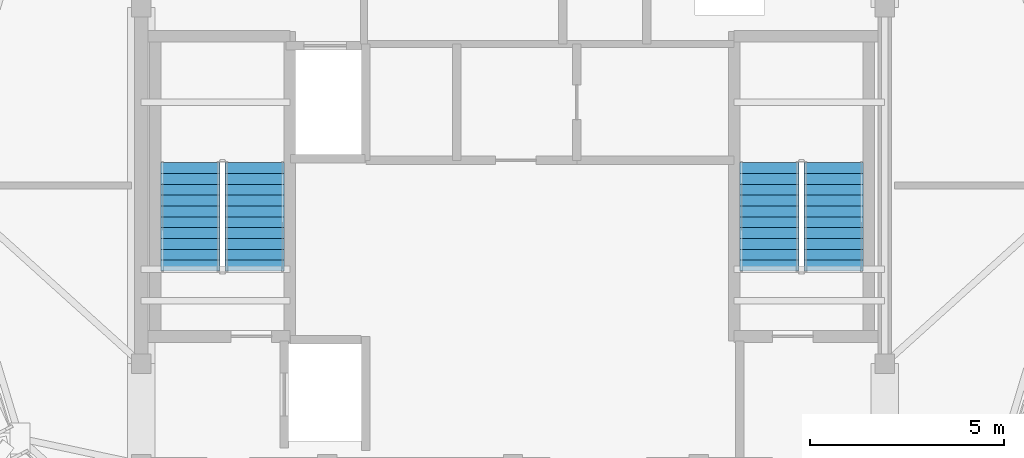
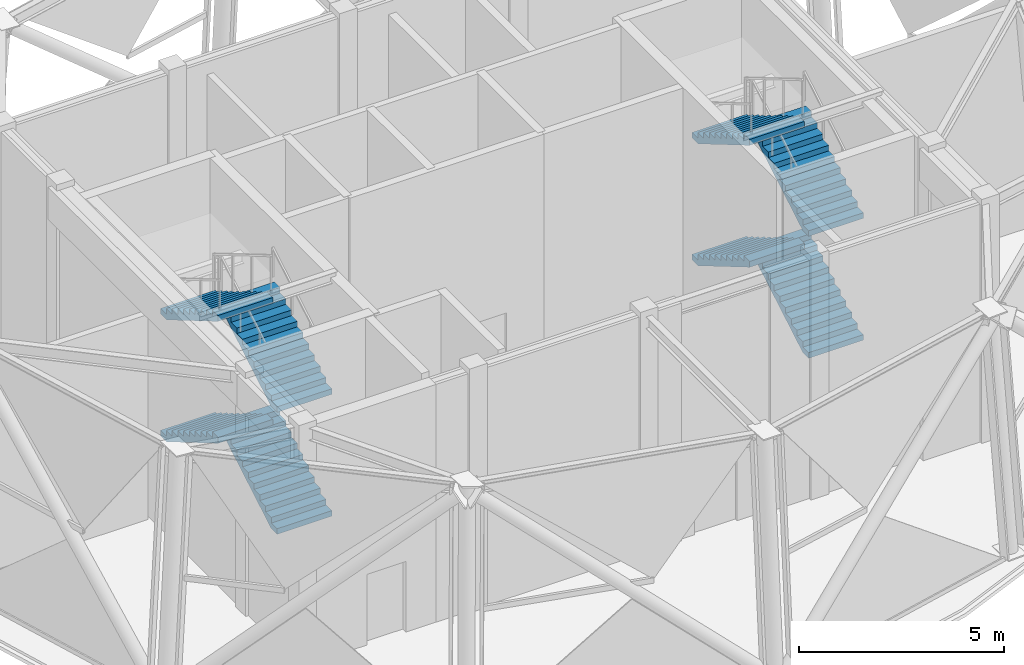
# One storey, part 6 of 8: 8 stair flights, 2 elements without a shape of their own.
"""IFC4 building model written with IfcOpenShell, lengths in metres."""

from ifc_helpers import new_model, si_unit, direction, frame, origin, place, context, subcontext, project, spatial, polyline, outline, extrude, material, type_object, element, aggregate, save


model = new_model("IFC4")

# Units and contexts
model_context = context("Model", 3, precision=1e-05, world=origin(), true_north=direction((0.0, 1.0)))
body_context = subcontext(model_context, "Body", "Model", "MODEL_VIEW")
ifc_project = project(units=[si_unit("LENGTHUNIT", "METRE"), si_unit("AREAUNIT", "SQUARE_METRE"), si_unit("VOLUMEUNIT", "CUBIC_METRE"), si_unit("PLANEANGLEUNIT", "RADIAN"), si_unit("MASSUNIT", "GRAM", prefix="KILO")], contexts=[model_context])

# Site, building, storey
site_placement = place(None, origin())
site = spatial("IfcSite", under=ifc_project, at=site_placement, CompositionType="ELEMENT")
building_placement = place(site_placement, origin())
building = spatial("IfcBuilding", under=site, at=building_placement, Name="Vantalir Tower", CompositionType="ELEMENT")
storey_placement = place(building_placement, frame((0.0, 0.0, 326.25)))
storey = spatial("IfcBuildingStorey", under=building, at=storey_placement, Name="L79", CompositionType="ELEMENT", Elevation=326.25)

# Stair, stair flights
ifc_material = material(Name="Concrete C40/50", Category="concrete")
stair_type = type_object("IfcStairType", Name="STR-CORE-1450", PredefinedType="HALF_TURN_STAIR", material=ifc_material)
stair_1_placement = place(storey_placement, origin())
stair_1 = element("IfcStair", 1, at=stair_1_placement, inside=storey, type_object=stair_type, Name="L79 Core Exit Stair 1", PredefinedType="HALF_TURN_STAIR")
stair_flight_type = type_object("IfcStairFlightType", Name="FLT-CORE-1450", PredefinedType="STRAIGHT", material=ifc_material)
stair_flight_1_placement = place(storey_placement, frame((24.830078125, 22.7900390625, 0.0), z_axis=(0.0, 0.0, 1.0), x_axis=(0.0, 1.0, 0.0)))
stair_flight_1 = element("IfcStairFlight", 2, at=stair_flight_1_placement, type_object=stair_flight_type, Name="ST1 flight 1", NumberOfRisers=11, NumberOfTreads=10, PredefinedType="STRAIGHT", RiserHeight=0.164772727, TreadLength=0.28, context=body_context, shape_type="SweptSolid", body=[
    extrude(outline(polyline([(0.0, 0.0), (0.0, 0.164794921875), (0.280029296875, 0.164794921875), (0.280029296875, 0.32958984375), (0.56005859375, 0.32958984375), (0.56005859375, 0.494384765625), (0.840087890625, 0.494384765625), (0.840087890625, 0.6591796875), (1.1201171875, 0.6591796875), (1.1201171875, 0.823974609375), (1.39990234375, 0.823974609375), (1.39990234375, 0.988525390625), (1.679931640625, 0.988525390625), (1.679931640625, 1.1533203125), (1.9599609375, 1.1533203125), (1.9599609375, 1.318115234375), (2.239990234375, 1.318115234375), (2.239990234375, 1.48291015625), (2.52001953125, 1.48291015625), (2.52001953125, 1.647705078125), (2.800048828125, 1.647705078125), (2.800048828125, 1.8125), (2.800048828125, 1.473876953125), (0.295654296875, 0.0), (0.0, 0.0)])), frame((0.0, 0.77001953125, 0.0), z_axis=(0.0, -1.0, 0.0), x_axis=(1.0, 0.0, 0.0)), (0.0, 0.0, 1.0), 1.5400390625),
])
stair_flight_2_placement = place(storey_placement, frame((23.169921875, 25.590087890625, 1.8125), z_axis=(0.0, 0.0, 1.0), x_axis=(0.0, -1.0, 0.0)))
stair_flight_2 = element("IfcStairFlight", 3, at=stair_flight_2_placement, type_object=stair_flight_type, Name="ST1 flight 2", NumberOfRisers=11, NumberOfTreads=10, PredefinedType="STRAIGHT", RiserHeight=0.164772727, TreadLength=0.28, context=body_context, shape_type="SweptSolid", body=[
    extrude(outline(polyline([(0.0, 0.0), (0.0, 0.164794921875), (0.280029296875, 0.164794921875), (0.280029296875, 0.32958984375), (0.56005859375, 0.32958984375), (0.56005859375, 0.494384765625), (0.840087890625, 0.494384765625), (0.840087890625, 0.6591796875), (1.1201171875, 0.6591796875), (1.1201171875, 0.823974609375), (1.39990234375, 0.823974609375), (1.39990234375, 0.988525390625), (1.679931640625, 0.988525390625), (1.679931640625, 1.1533203125), (1.9599609375, 1.1533203125), (1.9599609375, 1.318115234375), (2.239990234375, 1.318115234375), (2.239990234375, 1.48291015625), (2.52001953125, 1.48291015625), (2.52001953125, 1.647705078125), (2.800048828125, 1.647705078125), (2.800048828125, 1.8125), (2.800048828125, 1.473876953125), (0.295654296875, 0.0), (0.0, 0.0)])), frame((0.0, 0.77001953125, 0.0), z_axis=(0.0, -1.0, 0.0), x_axis=(1.0, 0.0, 0.0)), (0.0, 0.0, 1.0), 1.5400390625),
])
stair_flight_3_placement = place(storey_placement, frame((24.830078125, 22.7900390625, 3.625), z_axis=(0.0, 0.0, 1.0), x_axis=(0.0, 1.0, 0.0)))
stair_flight_3 = element("IfcStairFlight", 4, at=stair_flight_3_placement, type_object=stair_flight_type, Name="ST1 flight 3", NumberOfRisers=11, NumberOfTreads=10, PredefinedType="STRAIGHT", RiserHeight=0.164772727, TreadLength=0.28, context=body_context, shape_type="SweptSolid", body=[
    extrude(outline(polyline([(0.0, 0.0), (0.0, 0.164794921875), (0.280029296875, 0.164794921875), (0.280029296875, 0.32958984375), (0.56005859375, 0.32958984375), (0.56005859375, 0.494384765625), (0.840087890625, 0.494384765625), (0.840087890625, 0.6591796875), (1.1201171875, 0.6591796875), (1.1201171875, 0.823974609375), (1.39990234375, 0.823974609375), (1.39990234375, 0.988525390625), (1.679931640625, 0.988525390625), (1.679931640625, 1.1533203125), (1.9599609375, 1.1533203125), (1.9599609375, 1.318115234375), (2.239990234375, 1.318115234375), (2.239990234375, 1.48291015625), (2.52001953125, 1.48291015625), (2.52001953125, 1.647705078125), (2.800048828125, 1.647705078125), (2.800048828125, 1.8125), (2.800048828125, 1.473876953125), (0.295654296875, 0.0), (0.0, 0.0)])), frame((0.0, 0.77001953125, 0.0), z_axis=(0.0, -1.0, 0.0), x_axis=(1.0, 0.0, 0.0)), (0.0, 0.0, 1.0), 1.5400390625),
])
stair_flight_4_placement = place(storey_placement, frame((23.169921875, 25.590087890625, 5.4375), z_axis=(0.0, 0.0, 1.0), x_axis=(0.0, -1.0, 0.0)))
stair_flight_4 = element("IfcStairFlight", 5, at=stair_flight_4_placement, type_object=stair_flight_type, Name="ST1 flight 4", NumberOfRisers=11, NumberOfTreads=10, PredefinedType="STRAIGHT", RiserHeight=0.164772727, TreadLength=0.28, context=body_context, shape_type="SweptSolid", body=[
    extrude(outline(polyline([(0.0, 0.0), (0.0, 0.164794921875), (0.280029296875, 0.164794921875), (0.280029296875, 0.32958984375), (0.56005859375, 0.32958984375), (0.56005859375, 0.494384765625), (0.840087890625, 0.494384765625), (0.840087890625, 0.6591796875), (1.1201171875, 0.6591796875), (1.1201171875, 0.823974609375), (1.39990234375, 0.823974609375), (1.39990234375, 0.988525390625), (1.679931640625, 0.988525390625), (1.679931640625, 1.1533203125), (1.9599609375, 1.1533203125), (1.9599609375, 1.318115234375), (2.239990234375, 1.318115234375), (2.239990234375, 1.48291015625), (2.52001953125, 1.48291015625), (2.52001953125, 1.647705078125), (2.800048828125, 1.647705078125), (2.800048828125, 1.8125), (2.800048828125, 1.473876953125), (0.295654296875, 0.0), (0.0, 0.0)])), frame((0.0, 0.77001953125, 0.0), z_axis=(0.0, -1.0, 0.0), x_axis=(1.0, 0.0, 0.0)), (0.0, 0.0, 1.0), 1.5400390625),
])
aggregate(stair_1, [stair_flight_1, stair_flight_2, stair_flight_3, stair_flight_4])

stair_2_placement = place(storey_placement, origin())
stair_2 = element("IfcStair", 6, at=stair_2_placement, inside=storey, type_object=stair_type, Name="L79 Core Exit Stair 2", PredefinedType="HALF_TURN_STAIR")
stair_flight_5_placement = place(storey_placement, frame((39.780029296875, 22.7900390625, 0.0), z_axis=(0.0, 0.0, 1.0), x_axis=(0.0, 1.0, 0.0)))
stair_flight_5 = element("IfcStairFlight", 7, at=stair_flight_5_placement, type_object=stair_flight_type, Name="ST2 flight 1", NumberOfRisers=11, NumberOfTreads=10, PredefinedType="STRAIGHT", RiserHeight=0.164772727, TreadLength=0.28, context=body_context, shape_type="SweptSolid", body=[
    extrude(outline(polyline([(0.0, 0.0), (0.0, 0.164794921875), (0.280029296875, 0.164794921875), (0.280029296875, 0.32958984375), (0.56005859375, 0.32958984375), (0.56005859375, 0.494384765625), (0.840087890625, 0.494384765625), (0.840087890625, 0.6591796875), (1.1201171875, 0.6591796875), (1.1201171875, 0.823974609375), (1.39990234375, 0.823974609375), (1.39990234375, 0.988525390625), (1.679931640625, 0.988525390625), (1.679931640625, 1.1533203125), (1.9599609375, 1.1533203125), (1.9599609375, 1.318115234375), (2.239990234375, 1.318115234375), (2.239990234375, 1.48291015625), (2.52001953125, 1.48291015625), (2.52001953125, 1.647705078125), (2.800048828125, 1.647705078125), (2.800048828125, 1.8125), (2.800048828125, 1.473876953125), (0.295654296875, 0.0), (0.0, 0.0)])), frame((0.0, 0.77001953125, 0.0), z_axis=(0.0, -1.0, 0.0), x_axis=(1.0, 0.0, 0.0)), (0.0, 0.0, 1.0), 1.5400390625),
])
stair_flight_6_placement = place(storey_placement, frame((38.1201171875, 25.590087890625, 1.8125), z_axis=(0.0, 0.0, 1.0), x_axis=(0.0, -1.0, 0.0)))
stair_flight_6 = element("IfcStairFlight", 8, at=stair_flight_6_placement, type_object=stair_flight_type, Name="ST2 flight 2", NumberOfRisers=11, NumberOfTreads=10, PredefinedType="STRAIGHT", RiserHeight=0.164772727, TreadLength=0.28, context=body_context, shape_type="SweptSolid", body=[
    extrude(outline(polyline([(0.0, 0.0), (0.0, 0.164794921875), (0.280029296875, 0.164794921875), (0.280029296875, 0.32958984375), (0.56005859375, 0.32958984375), (0.56005859375, 0.494384765625), (0.840087890625, 0.494384765625), (0.840087890625, 0.6591796875), (1.1201171875, 0.6591796875), (1.1201171875, 0.823974609375), (1.39990234375, 0.823974609375), (1.39990234375, 0.988525390625), (1.679931640625, 0.988525390625), (1.679931640625, 1.1533203125), (1.9599609375, 1.1533203125), (1.9599609375, 1.318115234375), (2.239990234375, 1.318115234375), (2.239990234375, 1.48291015625), (2.52001953125, 1.48291015625), (2.52001953125, 1.647705078125), (2.800048828125, 1.647705078125), (2.800048828125, 1.8125), (2.800048828125, 1.473876953125), (0.295654296875, 0.0), (0.0, 0.0)])), frame((0.0, 0.77001953125, 0.0), z_axis=(0.0, -1.0, 0.0), x_axis=(1.0, 0.0, 0.0)), (0.0, 0.0, 1.0), 1.5400390625),
])
stair_flight_7_placement = place(storey_placement, frame((39.780029296875, 22.7900390625, 3.625), z_axis=(0.0, 0.0, 1.0), x_axis=(0.0, 1.0, 0.0)))
stair_flight_7 = element("IfcStairFlight", 9, at=stair_flight_7_placement, type_object=stair_flight_type, Name="ST2 flight 3", NumberOfRisers=11, NumberOfTreads=10, PredefinedType="STRAIGHT", RiserHeight=0.164772727, TreadLength=0.28, context=body_context, shape_type="SweptSolid", body=[
    extrude(outline(polyline([(0.0, 0.0), (0.0, 0.164794921875), (0.280029296875, 0.164794921875), (0.280029296875, 0.32958984375), (0.56005859375, 0.32958984375), (0.56005859375, 0.494384765625), (0.840087890625, 0.494384765625), (0.840087890625, 0.6591796875), (1.1201171875, 0.6591796875), (1.1201171875, 0.823974609375), (1.39990234375, 0.823974609375), (1.39990234375, 0.988525390625), (1.679931640625, 0.988525390625), (1.679931640625, 1.1533203125), (1.9599609375, 1.1533203125), (1.9599609375, 1.318115234375), (2.239990234375, 1.318115234375), (2.239990234375, 1.48291015625), (2.52001953125, 1.48291015625), (2.52001953125, 1.647705078125), (2.800048828125, 1.647705078125), (2.800048828125, 1.8125), (2.800048828125, 1.473876953125), (0.295654296875, 0.0), (0.0, 0.0)])), frame((0.0, 0.77001953125, 0.0), z_axis=(0.0, -1.0, 0.0), x_axis=(1.0, 0.0, 0.0)), (0.0, 0.0, 1.0), 1.5400390625),
])
stair_flight_8_placement = place(storey_placement, frame((38.1201171875, 25.590087890625, 5.4375), z_axis=(0.0, 0.0, 1.0), x_axis=(0.0, -1.0, 0.0)))
stair_flight_8 = element("IfcStairFlight", 10, at=stair_flight_8_placement, type_object=stair_flight_type, Name="ST2 flight 4", NumberOfRisers=11, NumberOfTreads=10, PredefinedType="STRAIGHT", RiserHeight=0.164772727, TreadLength=0.28, context=body_context, shape_type="SweptSolid", body=[
    extrude(outline(polyline([(0.0, 0.0), (0.0, 0.164794921875), (0.280029296875, 0.164794921875), (0.280029296875, 0.32958984375), (0.56005859375, 0.32958984375), (0.56005859375, 0.494384765625), (0.840087890625, 0.494384765625), (0.840087890625, 0.6591796875), (1.1201171875, 0.6591796875), (1.1201171875, 0.823974609375), (1.39990234375, 0.823974609375), (1.39990234375, 0.988525390625), (1.679931640625, 0.988525390625), (1.679931640625, 1.1533203125), (1.9599609375, 1.1533203125), (1.9599609375, 1.318115234375), (2.239990234375, 1.318115234375), (2.239990234375, 1.48291015625), (2.52001953125, 1.48291015625), (2.52001953125, 1.647705078125), (2.800048828125, 1.647705078125), (2.800048828125, 1.8125), (2.800048828125, 1.473876953125), (0.295654296875, 0.0), (0.0, 0.0)])), frame((0.0, 0.77001953125, 0.0), z_axis=(0.0, -1.0, 0.0), x_axis=(1.0, 0.0, 0.0)), (0.0, 0.0, 1.0), 1.5400390625),
])
aggregate(stair_2, [stair_flight_5, stair_flight_6, stair_flight_7, stair_flight_8])

save(model, "model.ifc")
